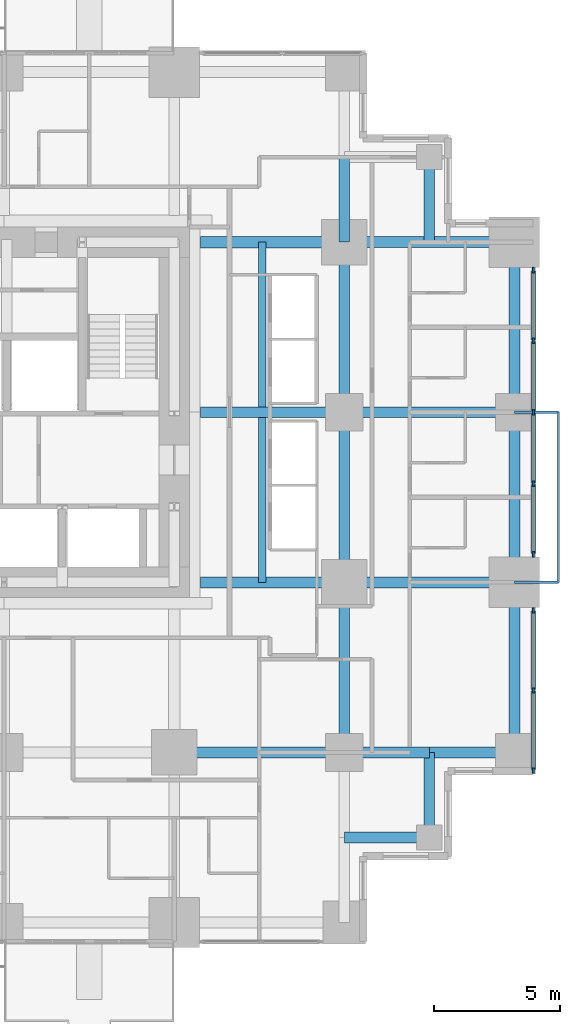
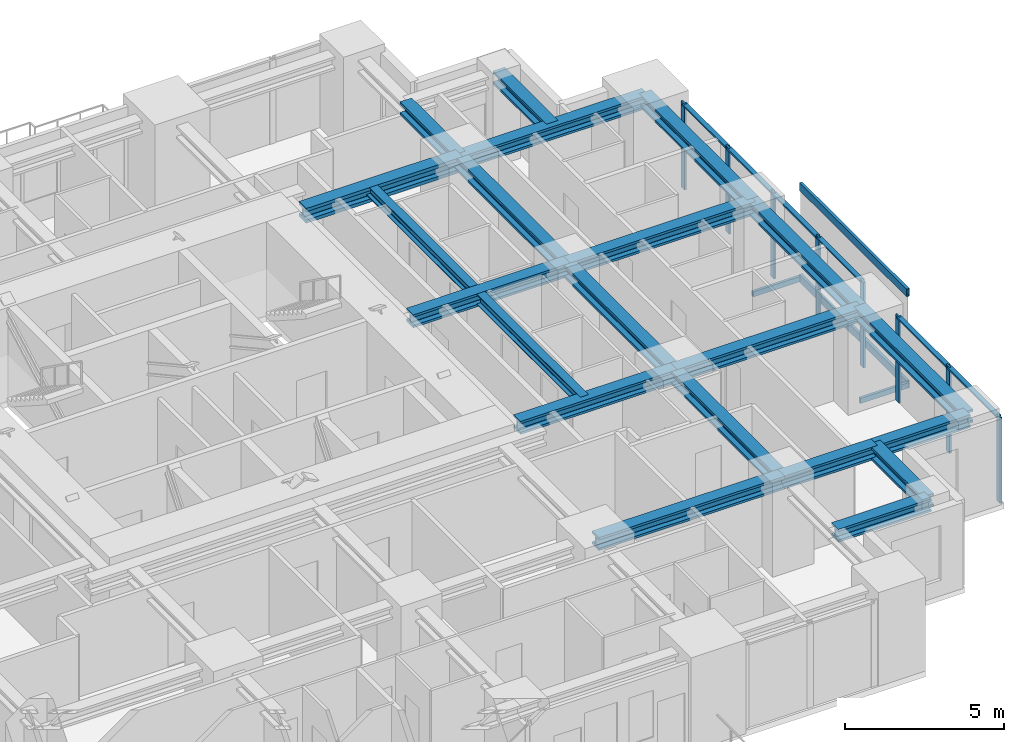
# One storey, part 4 of 12: 21 beams, 18 members, 2 elements without a shape of their own.
"""IFC4 building model written with IfcOpenShell, lengths in metres."""

from ifc_helpers import new_model, si_unit, direction, frame, origin, origin_2d, place, context, subcontext, project, spatial, rectangle, hollow_rectangle, i_section, extrude, material, material_profile, profile_set, type_object, element, aggregate, save


model = new_model("IFC4")

# Units and contexts
model_context = context("Model", 3, precision=1e-05, world=origin(), true_north=direction((0.0, 1.0)))
body_context = subcontext(model_context, "Body", "Model", "MODEL_VIEW")
ifc_project = project(units=[si_unit("LENGTHUNIT", "METRE"), si_unit("AREAUNIT", "SQUARE_METRE"), si_unit("VOLUMEUNIT", "CUBIC_METRE"), si_unit("PLANEANGLEUNIT", "RADIAN"), si_unit("MASSUNIT", "GRAM", prefix="KILO")], contexts=[model_context])

# Site, building, storey
site_placement = place(None, origin())
site = spatial("IfcSite", under=ifc_project, at=site_placement, CompositionType="ELEMENT")
building_placement = place(site_placement, origin())
building = spatial("IfcBuilding", under=site, at=building_placement, Name="Nyansa Garden Tower", CompositionType="ELEMENT")
storey_placement = place(building_placement, frame((0.0, 0.0, 134.10009765625)))
storey = spatial("IfcBuildingStorey", under=building, at=storey_placement, Name="L36", CompositionType="ELEMENT", Elevation=134.10009765625)

# Curtain wall, members
ifc_material_1 = material(Name="Black anodised aluminium, dark tinted double glazing", Category="aluminium")
curtain_wall_type = type_object("IfcCurtainWallType", Name="Inner skin curtain wall ISW-B", PredefinedType="USERDEFINED", material=ifc_material_1)
curtain_wall_1_placement = place(storey_placement, origin())
curtain_wall_1 = element("IfcCurtainWall", 1, at=curtain_wall_1_placement, inside=storey, type_object=curtain_wall_type, Name="Inner skin curtain wall L36 E", ObjectType="UNITISED CURTAIN WALL", PredefinedType="USERDEFINED")
ifc_material_2 = material(Name="Black anodised aluminium", Category="aluminium")
ifc_material_profile_1 = material_profile(ifc_material_2, rectangle(XDim=0.06494140625, YDim=0.22509765625, at=origin_2d()), Name="Mullion 225x65")
ifc_profile_set_1 = profile_set([ifc_material_profile_1], Name="Black anodised aluminium")
member_type_1 = type_object("IfcMemberType", Name="Mullion ISW-B 225x65", PredefinedType="MULLION", material=ifc_profile_set_1)
member_1_placement = place(storey_placement, frame((41.25, 6.032470703125, 0.0), z_axis=(0.0, 0.0, 1.0), x_axis=(-1.0, 0.0, 0.0)))
member_1 = element("IfcMember", 2, at=member_1_placement, type_object=member_type_1, Name="ISW-B mullion 1", PredefinedType="MULLION", context=body_context, shape_type="SweptSolid", body=[
    extrude(rectangle(XDim=0.06494140625, YDim=0.22509765625, at=origin_2d()), origin(), (0.0, 0.0, 1.0), 3.2998046875),
])
member_2_placement = place(storey_placement, frame((41.25, 9.2099609375, 0.0), z_axis=(0.0, 0.0, 1.0), x_axis=(-1.0, 0.0, 0.0)))
member_2 = element("IfcMember", 3, at=member_2_placement, type_object=member_type_1, Name="ISW-B mullion 2", PredefinedType="MULLION", context=body_context, shape_type="SweptSolid", body=[
    extrude(rectangle(XDim=0.06494140625, YDim=0.22509765625, at=origin_2d()), origin(), (0.0, 0.0, 1.0), 3.2998046875),
])
member_3_placement = place(storey_placement, frame((41.25, 12.387451171875, 0.0), z_axis=(0.0, 0.0, 1.0), x_axis=(-1.0, 0.0, 0.0)))
member_3 = element("IfcMember", 4, at=member_3_placement, type_object=member_type_1, Name="ISW-B mullion 3", PredefinedType="MULLION", context=body_context, shape_type="SweptSolid", body=[
    extrude(rectangle(XDim=0.06494140625, YDim=0.22509765625, at=origin_2d()), origin(), (0.0, 0.0, 1.0), 3.2998046875),
])

curtain_wall_2_placement = place(storey_placement, origin())
curtain_wall_2 = element("IfcCurtainWall", 5, at=curtain_wall_2_placement, inside=storey, type_object=curtain_wall_type, Name="Inner skin curtain wall L36 E", ObjectType="UNITISED CURTAIN WALL", PredefinedType="USERDEFINED")
member_4_placement = place(storey_placement, frame((41.25, 14.612548828125, 0.0), z_axis=(0.0, 0.0, 1.0), x_axis=(-1.0, 0.0, 0.0)))
member_4 = element("IfcMember", 6, at=member_4_placement, type_object=member_type_1, Name="ISW-B mullion 1", PredefinedType="MULLION", context=body_context, shape_type="SweptSolid", body=[
    extrude(rectangle(XDim=0.06494140625, YDim=0.22509765625, at=origin_2d()), origin(), (0.0, 0.0, 1.0), 3.2998046875),
])
member_5_placement = place(storey_placement, frame((41.25, 17.4150390625, 0.0), z_axis=(0.0, 0.0, 1.0), x_axis=(-1.0, 0.0, 0.0)))
member_5 = element("IfcMember", 7, at=member_5_placement, type_object=member_type_1, Name="ISW-B mullion 2", PredefinedType="MULLION", context=body_context, shape_type="SweptSolid", body=[
    extrude(rectangle(XDim=0.06494140625, YDim=0.22509765625, at=origin_2d()), origin(), (0.0, 0.0, 1.0), 3.2998046875),
])
member_6_placement = place(storey_placement, frame((41.25, 20.25, 0.0), z_axis=(0.0, 0.0, 1.0), x_axis=(-1.0, 0.0, 0.0)))
member_6 = element("IfcMember", 8, at=member_6_placement, type_object=member_type_1, Name="ISW-B mullion 3", PredefinedType="MULLION", context=body_context, shape_type="SweptSolid", body=[
    extrude(rectangle(XDim=0.06494140625, YDim=0.22509765625, at=origin_2d()), origin(), (0.0, 0.0, 1.0), 3.2998046875),
])
member_7_placement = place(storey_placement, frame((41.25, 23.0849609375, 0.0), z_axis=(0.0, 0.0, 1.0), x_axis=(-1.0, 0.0, 0.0)))
member_7 = element("IfcMember", 9, at=member_7_placement, type_object=member_type_1, Name="ISW-B mullion 4", PredefinedType="MULLION", context=body_context, shape_type="SweptSolid", body=[
    extrude(rectangle(XDim=0.06494140625, YDim=0.22509765625, at=origin_2d()), origin(), (0.0, 0.0, 1.0), 3.2998046875),
])
member_8_placement = place(storey_placement, frame((41.25, 25.887451171875, 0.0), z_axis=(0.0, 0.0, 1.0), x_axis=(-1.0, 0.0, 0.0)))
member_8 = element("IfcMember", 10, at=member_8_placement, type_object=member_type_1, Name="ISW-B mullion 5", PredefinedType="MULLION", context=body_context, shape_type="SweptSolid", body=[
    extrude(rectangle(XDim=0.06494140625, YDim=0.22509765625, at=origin_2d()), origin(), (0.0, 0.0, 1.0), 3.2998046875),
])

# Members
ifc_material_3 = material(Name="Steel S355, black powder coated", Category="steel")
ifc_material_profile_2 = material_profile(ifc_material_3, hollow_rectangle(XDim=0.10009765625, YDim=0.199951171875, WallThickness=0.008056640625, at=origin_2d()), Name="RHS 200x100x8")
ifc_profile_set_2 = profile_set([ifc_material_profile_2], Name="Steel S355, black powder coated")
member_type_2 = type_object("IfcMemberType", Name="Outer skin bracket arm RHS 200x100x8", PredefinedType="USERDEFINED", material=ifc_profile_set_2)
for number, where, z_axis, x_axis, name in (
    (11, (40.5, 13.5, -0.375), (1.0, 0.0, 0.0), (0.0, 1.0, 0.0), "Outer skin bracket arm"),
    (12, (40.5, 20.25, -0.375), (1.0, 0.0, 0.0), (0.0, 1.0, 0.0), "Outer skin bracket arm"),
):
    element("IfcMember", number, at=place(storey_placement, frame(where, z_axis=z_axis, x_axis=x_axis)), inside=storey, type_object=member_type_2, Name=name, ObjectType="OUTER SKIN BRACKET", PredefinedType="USERDEFINED", context=body_context, shape_type="SweptSolid", body=[
        extrude(hollow_rectangle(XDim=0.10009765625, YDim=0.199951171875, WallThickness=0.008056640625, at=origin_2d()), origin(), (0.0, 0.0, 1.0), 1.75),
    ])
ifc_material_4 = material(Name="Steel S355, black powder coated", Category="steel")
ifc_material_profile_3 = material_profile(ifc_material_4, hollow_rectangle(XDim=0.10009765625, YDim=0.300048828125, WallThickness=0.010009765625, at=origin_2d()), Name="RHS 300x100x10")
ifc_profile_set_3 = profile_set([ifc_material_profile_3], Name="Steel S355, black powder coated")
member_type_3 = type_object("IfcMemberType", Name="Outer skin rail RHS 300x100x10", PredefinedType="USERDEFINED", material=ifc_profile_set_3)
for number, where, z_axis, x_axis, name in (
    (13, (42.25, 13.5, -0.375), (0.0, 1.0, 0.0), (-1.0, 0.0, 0.0), "Outer skin rail L36"),
    (14, (42.25, 13.5, 3.14990234375), (0.0, 1.0, 0.0), (-1.0, 0.0, 0.0), "Outer skin rail L36 head"),
):
    element("IfcMember", number, at=place(storey_placement, frame(where, z_axis=z_axis, x_axis=x_axis)), inside=storey, type_object=member_type_3, Name=name, ObjectType="OUTER SKIN RAIL", PredefinedType="USERDEFINED", context=body_context, shape_type="SweptSolid", body=[
        extrude(hollow_rectangle(XDim=0.10009765625, YDim=0.300048828125, WallThickness=0.010009765625, at=origin_2d()), origin(), (0.0, 0.0, 1.0), 6.75),
    ])

# Beams
ifc_material_5 = material(Name="Steel S355", Category="steel")
ifc_material_profile_4 = material_profile(ifc_material_5, i_section(OverallWidth=0.431884765625, OverallDepth=0.498046875, WebThickness=0.0556640625, FlangeThickness=0.0888671875, FilletRadius=0.014892578125, at=origin_2d()), Name="HD 400x744")
ifc_profile_set_4 = profile_set([ifc_material_profile_4], Name="Steel S355")
beam_type_1 = type_object("IfcBeamType", Name="Steel beam SBB2-744 HD 400x744", PredefinedType="BEAM", material=ifc_profile_set_4)
beam_1_placement = place(storey_placement, frame((27.0, 6.75, 3.05078125), z_axis=(1.0, 0.0, 0.0), x_axis=(0.0, 1.0, 0.0)))
element("IfcBeam", 15, at=beam_1_placement, inside=storey, type_object=beam_type_1, Name="Steel beam 6/E-7/E L37", PredefinedType="BEAM", context=body_context, shape_type="SweptSolid", body=[
    extrude(i_section(OverallWidth=0.431884765625, OverallDepth=0.498046875, WebThickness=0.0556640625, FlangeThickness=0.0888671875, FilletRadius=0.014892578125, at=origin_2d()), origin(), (0.0, 0.0, 1.0), 6.75),
])
beam_2_placement = place(storey_placement, frame((28.050048828125, 20.25, 3.05078125), z_axis=(1.0, 0.0, 0.0), x_axis=(0.0, 1.0, 0.0)))
element("IfcBeam", 16, at=beam_2_placement, inside=storey, type_object=beam_type_1, Name="Steel beam 28.050/G-7/G L37", PredefinedType="BEAM", context=body_context, shape_type="SweptSolid", body=[
    extrude(i_section(OverallWidth=0.431884765625, OverallDepth=0.498046875, WebThickness=0.0556640625, FlangeThickness=0.0888671875, FilletRadius=0.014892578125, at=origin_2d()), origin(), (0.0, 0.0, 1.0), 5.699951171875),
])
beam_3_placement = place(storey_placement, frame((33.75, 6.75, 3.05078125), z_axis=(0.0, 1.0, 0.0), x_axis=(-1.0, 0.0, 0.0)))
element("IfcBeam", 17, at=beam_3_placement, inside=storey, type_object=beam_type_1, Name="Steel beam 7/E-7/F L37", PredefinedType="BEAM", context=body_context, shape_type="SweptSolid", body=[
    extrude(i_section(OverallWidth=0.431884765625, OverallDepth=0.498046875, WebThickness=0.0556640625, FlangeThickness=0.0888671875, FilletRadius=0.014892578125, at=origin_2d()), origin(), (0.0, 0.0, 1.0), 6.75),
])
beam_4_placement = place(storey_placement, frame((33.75, 6.75, 3.05078125), z_axis=(1.0, 0.0, 0.0), x_axis=(0.0, 1.0, 0.0)))
element("IfcBeam", 18, at=beam_4_placement, inside=storey, type_object=beam_type_1, Name="Steel beam 7/E-37.125/E L37", PredefinedType="BEAM", context=body_context, shape_type="SweptSolid", body=[
    extrude(i_section(OverallWidth=0.431884765625, OverallDepth=0.498046875, WebThickness=0.0556640625, FlangeThickness=0.0888671875, FilletRadius=0.014892578125, at=origin_2d()), origin(), (0.0, 0.0, 1.0), 3.375),
])
for number, where, z_axis, x_axis, name in (
    (19, (33.75, 13.5, 3.05078125), (0.0, 1.0, 0.0), (-1.0, 0.0, 0.0), "Steel beam 7/F-7/G L37"),
    (20, (33.75, 20.25, 3.05078125), (0.0, 1.0, 0.0), (-1.0, 0.0, 0.0), "Steel beam 7/G-7/H L37"),
    (21, (33.75, 20.25, 3.05078125), (1.0, 0.0, 0.0), (0.0, 1.0, 0.0), "Steel beam 7/G-8/G L37"),
):
    element("IfcBeam", number, at=place(storey_placement, frame(where, z_axis=z_axis, x_axis=x_axis)), inside=storey, type_object=beam_type_1, Name=name, PredefinedType="BEAM", context=body_context, shape_type="SweptSolid", body=[
        extrude(i_section(OverallWidth=0.431884765625, OverallDepth=0.498046875, WebThickness=0.0556640625, FlangeThickness=0.0888671875, FilletRadius=0.014892578125, at=origin_2d()), origin(), (0.0, 0.0, 1.0), 6.75),
    ])
beam_5_placement = place(storey_placement, frame((33.75, 27.0, 3.05078125), z_axis=(0.0, 1.0, 0.0), x_axis=(-1.0, 0.0, 0.0)))
element("IfcBeam", 22, at=beam_5_placement, inside=storey, type_object=beam_type_1, Name="Steel beam 7/H-7/30.375 L37", PredefinedType="BEAM", context=body_context, shape_type="SweptSolid", body=[
    extrude(i_section(OverallWidth=0.431884765625, OverallDepth=0.498046875, WebThickness=0.0556640625, FlangeThickness=0.0888671875, FilletRadius=0.014892578125, at=origin_2d()), origin(), (0.0, 0.0, 1.0), 3.375),
])
ifc_material_6 = material(Name="Steel S355", Category="steel")
ifc_material_profile_5 = material_profile(ifc_material_6, i_section(OverallWidth=0.431884765625, OverallDepth=0.498046875, WebThickness=0.0556640625, FlangeThickness=0.0888671875, FilletRadius=0.014892578125, at=origin_2d()), Name="HD 400x744")
ifc_profile_set_5 = profile_set([ifc_material_profile_5], Name="Steel S355")
beam_type_2 = type_object("IfcBeamType", Name="Steel beam SEBB-744 HD 400x744", PredefinedType="BEAM", material=ifc_profile_set_5)
for number, where, z_axis, x_axis, name in (
    (23, (40.5, 6.75, 3.05078125), (0.0, 1.0, 0.0), (-1.0, 0.0, 0.0), "Steel edge beam 8/E-8/F L37"),
    (24, (40.5, 13.5, 3.05078125), (0.0, 1.0, 0.0), (-1.0, 0.0, 0.0), "Steel edge beam 8/F-8/G L37"),
    (25, (40.5, 20.25, 3.05078125), (0.0, 1.0, 0.0), (-1.0, 0.0, 0.0), "Steel edge beam 8/G-8/H L37"),
):
    element("IfcBeam", number, at=place(storey_placement, frame(where, z_axis=z_axis, x_axis=x_axis)), inside=storey, type_object=beam_type_2, Name=name, PredefinedType="BEAM", context=body_context, shape_type="SweptSolid", body=[
        extrude(i_section(OverallWidth=0.431884765625, OverallDepth=0.498046875, WebThickness=0.0556640625, FlangeThickness=0.0888671875, FilletRadius=0.014892578125, at=origin_2d()), origin(), (0.0, 0.0, 1.0), 6.75),
    ])
ifc_material_7 = material(Name="Steel S355", Category="steel")
ifc_material_profile_6 = material_profile(ifc_material_7, i_section(OverallWidth=0.431884765625, OverallDepth=0.498046875, WebThickness=0.0556640625, FlangeThickness=0.0888671875, FilletRadius=0.014892578125, at=origin_2d()), Name="HD 400x744")
ifc_profile_set_6 = profile_set([ifc_material_profile_6], Name="Steel S355")
beam_type_3 = type_object("IfcBeamType", Name="Steel beam SEBB2-744 HD 400x744", PredefinedType="BEAM", material=ifc_profile_set_6)
beam_6_placement = place(storey_placement, frame((37.125, 6.75, 3.05078125), z_axis=(1.0, 0.0, 0.0), x_axis=(0.0, 1.0, 0.0)))
element("IfcBeam", 26, at=beam_6_placement, inside=storey, type_object=beam_type_3, Name="Steel edge beam 37.125/E-8/E L37", PredefinedType="BEAM", context=body_context, shape_type="SweptSolid", body=[
    extrude(i_section(OverallWidth=0.431884765625, OverallDepth=0.498046875, WebThickness=0.0556640625, FlangeThickness=0.0888671875, FilletRadius=0.014892578125, at=origin_2d()), origin(), (0.0, 0.0, 1.0), 3.375),
])
ifc_material_8 = material(Name="Steel S355", Category="steel")
ifc_material_profile_7 = material_profile(ifc_material_8, i_section(OverallWidth=0.4541015625, OverallDepth=0.569091796875, WebThickness=0.077880859375, FlangeThickness=0.125, FilletRadius=0.014892578125, at=origin_2d()), Name="HD 400x1086")
ifc_profile_set_7 = profile_set([ifc_material_profile_7], Name="Steel S355")
beam_type_4 = type_object("IfcBeamType", Name="Steel beam SOC1-1086 HD 400x1086", PredefinedType="BEAM", material=ifc_profile_set_7)
beam_7_placement = place(storey_placement, frame((28.050048828125, 27.0, 3.015380859375), z_axis=(1.0, 0.0, 0.0), x_axis=(0.0, 1.0, 0.0)))
element("IfcBeam", 27, at=beam_7_placement, inside=storey, type_object=beam_type_4, Name="Steel beam 28.050/H-7/H L37", PredefinedType="BEAM", context=body_context, shape_type="SweptSolid", body=[
    extrude(i_section(OverallWidth=0.4541015625, OverallDepth=0.569091796875, WebThickness=0.077880859375, FlangeThickness=0.125, FilletRadius=0.014892578125, at=origin_2d()), origin(), (0.0, 0.0, 1.0), 5.699951171875),
])
ifc_material_9 = material(Name="Steel S355", Category="steel")
ifc_material_profile_8 = material_profile(ifc_material_9, i_section(OverallWidth=0.431884765625, OverallDepth=0.498046875, WebThickness=0.0556640625, FlangeThickness=0.0888671875, FilletRadius=0.014892578125, at=origin_2d()), Name="HD 400x744")
ifc_profile_set_8 = profile_set([ifc_material_profile_8], Name="Steel S355")
beam_type_5 = type_object("IfcBeamType", Name="Steel beam SOC1-744 HD 400x744", PredefinedType="BEAM", material=ifc_profile_set_8)
beam_8_placement = place(storey_placement, frame((28.050048828125, 13.5, 3.05078125), z_axis=(1.0, 0.0, 0.0), x_axis=(0.0, 1.0, 0.0)))
element("IfcBeam", 28, at=beam_8_placement, inside=storey, type_object=beam_type_5, Name="Steel beam 28.050/F-7/F L37", PredefinedType="BEAM", context=body_context, shape_type="SweptSolid", body=[
    extrude(i_section(OverallWidth=0.431884765625, OverallDepth=0.498046875, WebThickness=0.0556640625, FlangeThickness=0.0888671875, FilletRadius=0.014892578125, at=origin_2d()), origin(), (0.0, 0.0, 1.0), 5.699951171875),
])
for number, where, z_axis, x_axis, name in (
    (29, (33.75, 13.5, 3.05078125), (1.0, 0.0, 0.0), (0.0, 1.0, 0.0), "Steel beam 7/F-8/F L37"),
    (30, (33.75, 27.0, 3.05078125), (1.0, 0.0, 0.0), (0.0, 1.0, 0.0), "Steel beam 7/H-8/H L37"),
):
    element("IfcBeam", number, at=place(storey_placement, frame(where, z_axis=z_axis, x_axis=x_axis)), inside=storey, type_object=beam_type_5, Name=name, PredefinedType="BEAM", context=body_context, shape_type="SweptSolid", body=[
        extrude(i_section(OverallWidth=0.431884765625, OverallDepth=0.498046875, WebThickness=0.0556640625, FlangeThickness=0.0888671875, FilletRadius=0.014892578125, at=origin_2d()), origin(), (0.0, 0.0, 1.0), 6.75),
    ])
ifc_material_10 = material(Name="Steel S355", Category="steel")
ifc_material_profile_9 = material_profile(ifc_material_10, i_section(OverallWidth=0.431884765625, OverallDepth=0.498046875, WebThickness=0.0556640625, FlangeThickness=0.0888671875, FilletRadius=0.014892578125, at=origin_2d()), Name="HD 400x744")
ifc_profile_set_9 = profile_set([ifc_material_profile_9], Name="Steel S355")
beam_type_6 = type_object("IfcBeamType", Name="Steel beam SSB1-744 HD 400x744", PredefinedType="BEAM", material=ifc_profile_set_9)
for number, where, z_axis, x_axis, name in (
    (31, (37.125, 3.375, 3.05078125), (0.0, 1.0, 0.0), (-1.0, 0.0, 0.0), "Steel step beam 37.125/3.375 L37"),
    (32, (37.125, 3.375, 3.05078125), (-1.0, 0.0, 0.0), (0.0, -1.0, 0.0), "Steel step beam 37.125/3.375 L37"),
    (33, (37.125, 30.375, 3.05078125), (0.0, -1.0, 0.0), (1.0, 0.0, 0.0), "Steel step beam 37.125/30.375 L37"),
):
    element("IfcBeam", number, at=place(storey_placement, frame(where, z_axis=z_axis, x_axis=x_axis)), inside=storey, type_object=beam_type_6, Name=name, PredefinedType="BEAM", context=body_context, shape_type="SweptSolid", body=[
        extrude(i_section(OverallWidth=0.431884765625, OverallDepth=0.498046875, WebThickness=0.0556640625, FlangeThickness=0.0888671875, FilletRadius=0.014892578125, at=origin_2d()), origin(), (0.0, 0.0, 1.0), 3.375),
    ])

# Member
ifc_material_11 = material(Name="Black anodised aluminium", Category="aluminium")
ifc_material_profile_10 = material_profile(ifc_material_11, rectangle(XDim=0.1650390625, YDim=0.06494140625, at=origin_2d()), Name="Transom 165x65")
ifc_profile_set_10 = profile_set([ifc_material_profile_10], Name="Black anodised aluminium")
member_type_4 = type_object("IfcMemberType", Name="Transom ISW-B 165x65", PredefinedType="USERDEFINED", material=ifc_profile_set_10)
member_9_placement = place(storey_placement, frame((41.25, 6.06494140625, 3.267333984375), z_axis=(0.0, 1.0, 0.0), x_axis=(-1.0, 0.0, 0.0)))
member_9 = element("IfcMember", 34, at=member_9_placement, type_object=member_type_4, Name="ISW-B transom 1", ObjectType="TRANSOM", PredefinedType="USERDEFINED", context=body_context, shape_type="SweptSolid", body=[
    extrude(rectangle(XDim=0.1650390625, YDim=0.06494140625, at=origin_2d()), origin(), (0.0, 0.0, 1.0), 3.112548828125),
])

member_10_placement = place(storey_placement, frame((41.25, 9.242431640625, 3.267333984375), z_axis=(0.0, 1.0, 0.0), x_axis=(-1.0, 0.0, 0.0)))
member_10 = element("IfcMember", 35, at=member_10_placement, type_object=member_type_4, Name="ISW-B transom 2", ObjectType="TRANSOM", PredefinedType="USERDEFINED", context=body_context, shape_type="SweptSolid", body=[
    extrude(rectangle(XDim=0.1650390625, YDim=0.06494140625, at=origin_2d()), origin(), (0.0, 0.0, 1.0), 3.112548828125),
])

aggregate(curtain_wall_1, [member_1, member_2, member_3, member_9, member_10])

member_11_placement = place(storey_placement, frame((41.25, 14.64501953125, 3.267333984375), z_axis=(0.0, 1.0, 0.0), x_axis=(-1.0, 0.0, 0.0)))
member_11 = element("IfcMember", 36, at=member_11_placement, type_object=member_type_4, Name="ISW-B transom 1", ObjectType="TRANSOM", PredefinedType="USERDEFINED", context=body_context, shape_type="SweptSolid", body=[
    extrude(rectangle(XDim=0.1650390625, YDim=0.06494140625, at=origin_2d()), origin(), (0.0, 0.0, 1.0), 2.737548828125),
])

member_12_placement = place(storey_placement, frame((41.25, 17.447509765625, 3.267333984375), z_axis=(0.0, 1.0, 0.0), x_axis=(-1.0, 0.0, 0.0)))
member_12 = element("IfcMember", 37, at=member_12_placement, type_object=member_type_4, Name="ISW-B transom 2", ObjectType="TRANSOM", PredefinedType="USERDEFINED", context=body_context, shape_type="SweptSolid", body=[
    extrude(rectangle(XDim=0.1650390625, YDim=0.06494140625, at=origin_2d()), origin(), (0.0, 0.0, 1.0), 2.77001953125),
])

member_13_placement = place(storey_placement, frame((41.25, 20.282470703125, 3.267333984375), z_axis=(0.0, 1.0, 0.0), x_axis=(-1.0, 0.0, 0.0)))
member_13 = element("IfcMember", 38, at=member_13_placement, type_object=member_type_4, Name="ISW-B transom 3", ObjectType="TRANSOM", PredefinedType="USERDEFINED", context=body_context, shape_type="SweptSolid", body=[
    extrude(rectangle(XDim=0.1650390625, YDim=0.06494140625, at=origin_2d()), origin(), (0.0, 0.0, 1.0), 2.77001953125),
])

member_14_placement = place(storey_placement, frame((41.25, 23.117431640625, 3.267333984375), z_axis=(0.0, 1.0, 0.0), x_axis=(-1.0, 0.0, 0.0)))
member_14 = element("IfcMember", 39, at=member_14_placement, type_object=member_type_4, Name="ISW-B transom 4", ObjectType="TRANSOM", PredefinedType="USERDEFINED", context=body_context, shape_type="SweptSolid", body=[
    extrude(rectangle(XDim=0.1650390625, YDim=0.06494140625, at=origin_2d()), origin(), (0.0, 0.0, 1.0), 2.737548828125),
])

aggregate(curtain_wall_2, [member_4, member_5, member_6, member_7, member_8, member_11, member_12, member_13, member_14])

# Beams
ifc_material_12 = material(Name="Steel S355", Category="steel")
ifc_material_profile_11 = material_profile(ifc_material_12, i_section(OverallWidth=0.300048828125, OverallDepth=0.39990234375, WebThickness=0.013427734375, FlangeThickness=0.02392578125, FilletRadius=0.027099609375, at=origin_2d()), Name="HE 400 B")
ifc_profile_set_11 = profile_set([ifc_material_profile_11], Name="Steel S355")
beam_type_7 = type_object("IfcBeamType", Name="Trimmer beam TR1 HE 400 B", PredefinedType="BEAM", material=ifc_profile_set_11)
for number, where, z_axis, x_axis, name in (
    (40, (30.5, 13.5, 3.099853515625), (0.0, 1.0, 0.0), (-1.0, 0.0, 0.0), "Trimmer beam 1 L37"),
    (41, (30.5, 20.466064453125, 3.099853515625), (0.0, 1.0, 0.0), (-1.0, 0.0, 0.0), "Trimmer beam 2 L37"),
):
    element("IfcBeam", number, at=place(storey_placement, frame(where, z_axis=z_axis, x_axis=x_axis)), inside=storey, type_object=beam_type_7, Name=name, PredefinedType="BEAM", context=body_context, shape_type="SweptSolid", body=[
        extrude(i_section(OverallWidth=0.300048828125, OverallDepth=0.39990234375, WebThickness=0.013427734375, FlangeThickness=0.02392578125, FilletRadius=0.027099609375, at=origin_2d()), origin(), (0.0, 0.0, 1.0), 6.533935546875),
    ])

save(model, "model.ifc")
